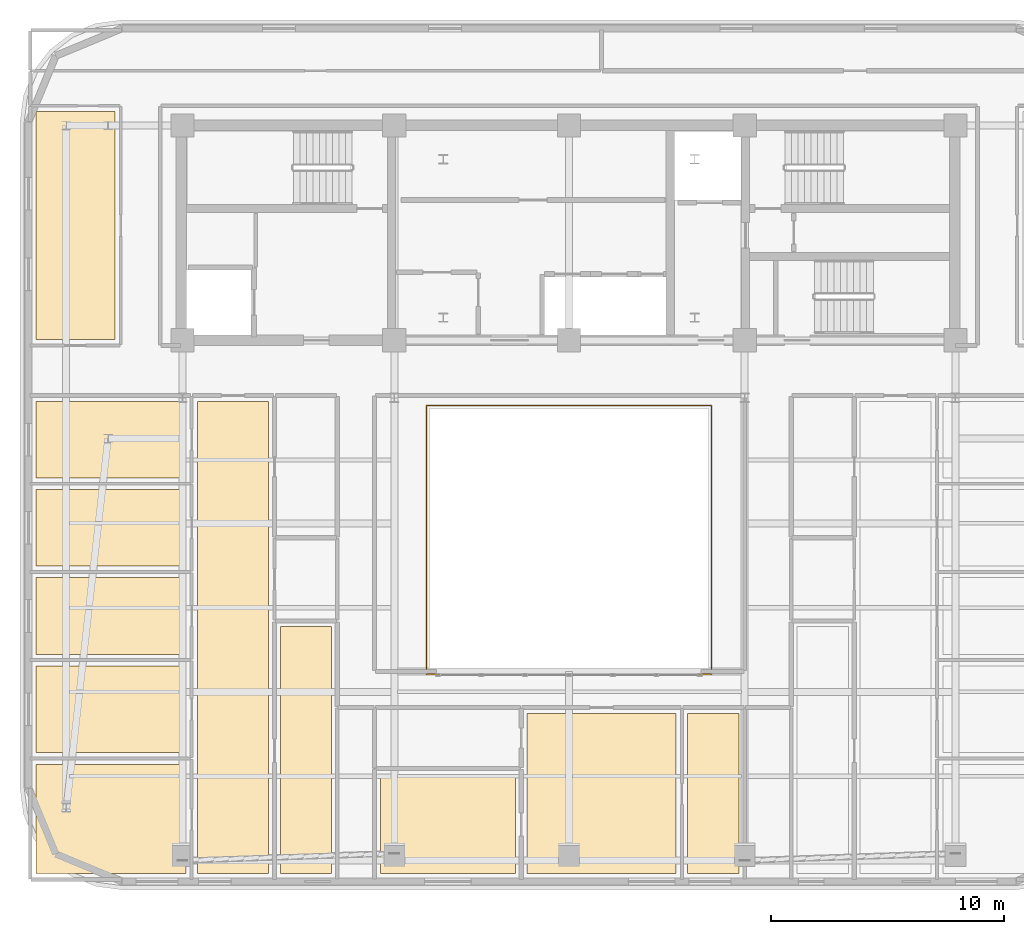
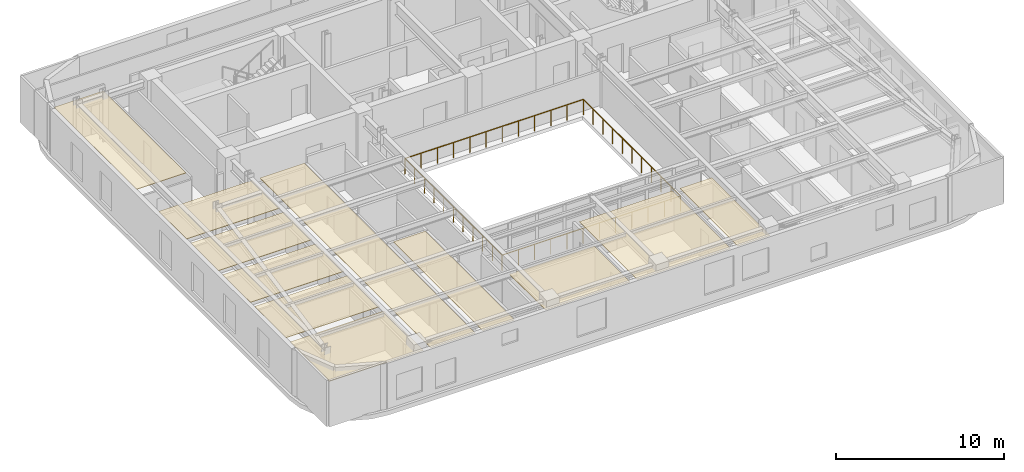
# One storey, part 11 of 14: 11 coverings, 1 railing.
"""IFC4 building model written with IfcOpenShell, lengths in metres."""

import ifcopenshell
import ifcopenshell.guid

model = None  # the IFC model being written
_history = None  # IfcOwnerHistory: only IFC2X3 demands one
_inside = {}  # id of a spatial element -> (the spatial element, [elements in it])
_under = {}  # id of a project, library or spatial element -> (it, [spatial elements below it])
_declared = {}  # id of a project -> (the project, [libraries it declares])
_typed = {}  # id of a type object -> (the type object, [elements of that type])
_made_of = {}  # id of a material, layer set ... -> (it, [elements and type objects made of it])


def new_model(schema):
    """Start an empty IFC model of exactly this schema.

    Asked for "IFC4X3", IfcOpenShell would pick the latest addendum, in which some entities
    have other attributes; the version numbers below select the first issue.
    IFC2X3 requires an IfcOwnerHistory on every rooted entity: one is made here for all.
    """
    global model, _history
    if schema == "IFC4X3":
        model = ifcopenshell.file(schema_version=(4, 3, 0, 0))
    else:
        model = ifcopenshell.file(schema=schema)
    _inside.clear()
    _under.clear()
    _declared.clear()
    _typed.clear()
    _made_of.clear()
    _history = None
    if model.schema == "IFC2X3":
        org = make("IfcOrganization", Name="unknown")
        user = make(
            "IfcPersonAndOrganization",
            ThePerson=make("IfcPerson", FamilyName="unknown"),
            TheOrganization=org,
        )
        app = make(
            "IfcApplication",
            ApplicationDeveloper=org,
            Version="unknown",
            ApplicationFullName="unknown",
            ApplicationIdentifier="unknown",
        )
        _history = make(
            "IfcOwnerHistory",
            OwningUser=user,
            OwningApplication=app,
            ChangeAction="ADDED",
            CreationDate=0,
        )
    return model


def make(cls, **values):
    """One entity of the class cls with the attributes given. An attribute that is None is left unset."""
    return model.create_entity(
        cls, **{name: value for name, value in values.items() if value is not None}
    )


def rooted(cls, **values):
    """An entity with a GlobalId (a new one), such as an element, a storey or a relation."""
    return make(cls, GlobalId=ifcopenshell.guid.new(), OwnerHistory=_history, **values)


def si_unit(unit_type, name, prefix=None):
    """IfcSIUnit, for example si_unit("LENGTHUNIT", "METRE", prefix="MILLI")."""
    return make("IfcSIUnit", UnitType=unit_type, Prefix=prefix, Name=name)


def assignment(units):
    """IfcUnitAssignment: the units of a project."""
    return None if units is None else make("IfcUnitAssignment", Units=units)


def point(xyz):
    """IfcCartesianPoint."""
    return None if xyz is None else make("IfcCartesianPoint", Coordinates=xyz)


def direction(xyz):
    """IfcDirection."""
    return None if xyz is None else make("IfcDirection", DirectionRatios=xyz)


def frame(location, z_axis=None, x_axis=None):
    """IfcAxis2Placement3D, a coordinate frame: its origin and axes. An axis left out is left unset."""
    return make(
        "IfcAxis2Placement3D",
        Location=point(location),
        Axis=direction(z_axis),
        RefDirection=direction(x_axis),
    )


def frame_2d(location, x_axis=None):
    """IfcAxis2Placement2D, a coordinate frame in the plane: its origin and x axis."""
    return make(
        "IfcAxis2Placement2D", Location=point(location), RefDirection=direction(x_axis)
    )


def origin():
    """The frame at (0, 0, 0) with its axes left unset."""
    return frame((0.0, 0.0, 0.0))


def origin_2d():
    """The frame at (0, 0) in the plane with its x axis left unset."""
    return frame_2d((0.0, 0.0))


def place(relative_to, where):
    """IfcLocalPlacement: puts the frame where relative to a parent placement (None: the world)."""
    return make(
        "IfcLocalPlacement", PlacementRelTo=relative_to, RelativePlacement=where
    )


def context(
    kind, dimensions, precision=None, world=None, true_north=None, identifier=None
):
    """IfcGeometricRepresentationContext, for example the 3D "Model" context."""
    return make(
        "IfcGeometricRepresentationContext",
        ContextIdentifier=identifier,
        ContextType=kind,
        CoordinateSpaceDimension=dimensions,
        Precision=precision,
        WorldCoordinateSystem=world,
        TrueNorth=true_north,
    )


def subcontext(parent, identifier, kind, view, scale=None):
    """IfcGeometricRepresentationSubContext, for example "Body" below "Model"."""
    return make(
        "IfcGeometricRepresentationSubContext",
        ContextIdentifier=identifier,
        ContextType=kind,
        ParentContext=parent,
        TargetScale=scale,
        TargetView=view,
    )


def project(units=None, contexts=None):
    """IfcProject with its units and contexts."""
    return rooted(
        "IfcProject",
        Name="project",
        RepresentationContexts=contexts,
        UnitsInContext=assignment(units),
    )


def spatial(cls, under=None, at=None, **own):
    """A site, building, storey or space (cls), placed at a placement, below another one or the project."""
    s = rooted(cls, ObjectPlacement=at, **own)
    if under is not None:
        _under.setdefault(under.id(), (under, []))[1].append(s)
    return s


def polyline(points):
    """IfcPolyline through the points."""
    return make("IfcPolyline", Points=[point(p) for p in points])


def profile(cls, at=None, kind="AREA", **sizes):
    """A parametric profile (cls). Its sizes go by their IFC names, for example OverallWidth=200.0."""
    return make(cls, ProfileType=kind, Position=at, **sizes)


def rectangle(**sizes):
    """IfcRectangleProfileDef."""
    return profile("IfcRectangleProfileDef", **sizes)


def outline(outer, holes=None, kind="AREA"):
    """IfcArbitraryClosedProfileDef: a profile drawn as a closed curve; with holes, ...WithVoids."""
    if holes is None:
        return make("IfcArbitraryClosedProfileDef", ProfileType=kind, OuterCurve=outer)
    return make(
        "IfcArbitraryProfileDefWithVoids",
        ProfileType=kind,
        OuterCurve=outer,
        InnerCurves=holes,
    )


def extrude(swept, where, along, depth):
    """IfcExtrudedAreaSolid: the profile swept, set in the frame where, extruded along a direction by depth."""
    return make(
        "IfcExtrudedAreaSolid",
        SweptArea=swept,
        Position=where,
        ExtrudedDirection=direction(along),
        Depth=depth,
    )


def shape(context_of_items, identifier, shape_type, items):
    """IfcShapeRepresentation: the items that make up one representation, for example the "Body"."""
    return make(
        "IfcShapeRepresentation",
        ContextOfItems=context_of_items,
        RepresentationIdentifier=identifier,
        RepresentationType=shape_type,
        Items=items,
    )


def material(Name=None, Category=None):
    """IfcMaterial."""
    return make("IfcMaterial", Name=Name, Category=Category)


def layer(
    of_material, thickness, ventilated=None, Name=None, Category=None, Priority=None
):
    """IfcMaterialLayer: one layer of a wall or slab, of a material (None: an air gap)."""
    return make(
        "IfcMaterialLayer",
        Material=of_material,
        LayerThickness=thickness,
        IsVentilated=ventilated,
        Name=Name,
        Category=Category,
        Priority=Priority,
    )


def layer_set(layers, Name=None):
    """IfcMaterialLayerSet."""
    return make("IfcMaterialLayerSet", MaterialLayers=layers, LayerSetName=Name)


def made_of(thing, what):
    """Note that an element or type object is made of a material, layer set ...; save() writes the relation."""
    if what is not None:
        _made_of.setdefault(what.id(), (what, []))[1].append(thing)
    return thing


def type_object(cls, material=None, **own):
    """A type object (cls), such as IfcWallType, which elements share."""
    return made_of(rooted(cls, **own), material)


def element(
    cls,
    number,
    at=None,
    inside=None,
    cuts=None,
    type_object=None,
    material=None,
    context=None,
    identifier="Body",
    shape_type=None,
    held_by="IfcProductDefinitionShape",
    body=None,
    shapes=None,
    **own,
):
    """One element of the class cls, such as IfcWall. Its Tag is "e" and its number.

    at: its placement. inside: the storey or other place that contains it. cuts: it is an
    opening in that element (IfcRelVoidsElement). A single representation is given by context,
    identifier, shape_type and body (its items); several are given by shapes. held_by: the class
    of the entity that holds the representations. save() writes the other relations.
    """
    e = rooted(cls, Tag="e%d" % number, ObjectPlacement=at, **own)
    if body is not None:
        shapes = [shape(context, identifier, shape_type, body)]
    if shapes is not None:
        e.Representation = make(held_by, Representations=shapes)
    if inside is not None:
        _inside.setdefault(inside.id(), (inside, []))[1].append(e)
    if cuts is not None:
        rooted(
            "IfcRelVoidsElement", RelatingBuildingElement=cuts, RelatedOpeningElement=e
        )
    if type_object is not None:
        _typed.setdefault(type_object.id(), (type_object, []))[1].append(e)
    return made_of(e, material)


def aggregate(whole, parts):
    """IfcRelAggregates: a whole, such as a stair, and the parts it consists of."""
    return rooted("IfcRelAggregates", RelatingObject=whole, RelatedObjects=parts)


def save(model, path):
    """Write the relations noted so far, then the file.

    IfcRelAggregates (storeys below a building ...), IfcRelContainedInSpatialStructure (elements
    in a storey), IfcRelDefinesByType, IfcRelAssociatesMaterial and IfcRelDeclares: one each for
    every whole, place, type object, material and project.
    """
    for whole, parts in _under.values():
        aggregate(whole, parts)
    for where, things in _inside.values():
        rooted(
            "IfcRelContainedInSpatialStructure",
            RelatedElements=things,
            RelatingStructure=where,
        )
    for kind, things in _typed.values():
        rooted("IfcRelDefinesByType", RelatedObjects=things, RelatingType=kind)
    for what, things in _made_of.values():
        rooted("IfcRelAssociatesMaterial", RelatedObjects=things, RelatingMaterial=what)
    for by, libraries in _declared.values():
        rooted("IfcRelDeclares", RelatingContext=by, RelatedDefinitions=libraries)
    model.write(path)


model = new_model("IFC4")

# Units and contexts
model_context = context("Model", 3, precision=1e-05, world=origin(), true_north=direction((0.0, 1.0)))
body_context = subcontext(model_context, "Body", "Model", "MODEL_VIEW")
ifc_project = project(units=[si_unit("LENGTHUNIT", "METRE"), si_unit("AREAUNIT", "SQUARE_METRE"), si_unit("VOLUMEUNIT", "CUBIC_METRE"), si_unit("PLANEANGLEUNIT", "RADIAN"), si_unit("MASSUNIT", "GRAM", prefix="KILO")], contexts=[model_context])

# Site, building, storey
site_placement = place(None, origin())
site = spatial("IfcSite", under=ifc_project, at=site_placement, CompositionType="ELEMENT")
building_placement = place(site_placement, origin())
building = spatial("IfcBuilding", under=site, at=building_placement, Name="Zarnavel Station Tower", CompositionType="ELEMENT")
storey_placement = place(building_placement, frame((0.0, 0.0, 225.60009765625)))
storey = spatial("IfcBuildingStorey", under=building, at=storey_placement, Name="L61", CompositionType="ELEMENT", Elevation=225.60009765625)

# Coverings
ifc_material_1 = material(Name="Perforated Gypsum and Mineral-Wool Acoustic Ceiling", Category="concrete")
ifc_layer = layer(ifc_material_1, 0.0400390625)
ifc_layer_set = layer_set([ifc_layer], Name="COV_CEIL_ACOUSTIC")
covering_type = type_object("IfcCoveringType", Name="COV_CEIL_ACOUSTIC", PredefinedType="CEILING", material=ifc_layer_set)
covering_1_placement = place(storey_placement, frame((0.0, 0.0, 3.02001953125)))
element("IfcCovering", 1, at=covering_1_placement, inside=storey, type_object=covering_type, Name="L61 FNW Acoustic Ceiling", PredefinedType="CEILING", context=body_context, shape_type="SweptSolid", body=[
    extrude(outline(polyline([(5.909912109375, 27.85009765625), (9.300048828125, 27.85009765625), (9.300048828125, 37.64990234375), (5.909912109375, 37.64990234375), (5.909912109375, 27.85009765625)])), origin(), (0.0, 0.0, 1.0), 0.039794921875),
])
covering_2_placement = place(storey_placement, frame((0.0, 0.0, 3.02001953125)))
element("IfcCovering", 2, at=covering_2_placement, inside=storey, type_object=covering_type, Name="L61 UW1LV Acoustic Ceiling", PredefinedType="CEILING", context=body_context, shape_type="SweptSolid", body=[
    extrude(outline(polyline([(12.841064453125, 4.909912109375), (15.89990234375, 4.909912109375), (15.89990234375, 25.199951171875), (12.841064453125, 25.199951171875), (12.841064453125, 4.909912109375)])), origin(), (0.0, 0.0, 1.0), 0.039794921875),
])
covering_3_placement = place(storey_placement, frame((0.0, 0.0, 3.02001953125)))
element("IfcCovering", 3, at=covering_3_placement, inside=storey, type_object=covering_type, Name="L61 UW1KT Acoustic Ceiling", PredefinedType="CEILING", context=body_context, shape_type="SweptSolid", body=[
    extrude(outline(polyline([(16.39990234375, 4.909912109375), (18.60009765625, 4.909912109375), (18.60009765625, 15.52099609375), (16.39990234375, 15.52099609375), (16.39990234375, 4.909912109375)])), origin(), (0.0, 0.0, 1.0), 0.039794921875),
])
covering_4_placement = place(storey_placement, frame((0.0, 0.0, 3.02001953125)))
element("IfcCovering", 4, at=covering_4_placement, inside=storey, type_object=covering_type, Name="L61 UW1B1 Acoustic Ceiling", PredefinedType="CEILING", context=body_context, shape_type="SweptSolid", body=[
    extrude(outline(polyline([(5.909912109375, 4.909912109375), (12.341064453125, 4.909912109375), (12.341064453125, 9.60693359375), (5.909912109375, 9.60693359375), (5.909912109375, 4.909912109375)])), origin(), (0.0, 0.0, 1.0), 0.039794921875),
])
covering_5_placement = place(storey_placement, frame((0.0, 0.0, 3.02001953125)))
element("IfcCovering", 5, at=covering_5_placement, inside=storey, type_object=covering_type, Name="L61 UW1B2 Acoustic Ceiling", PredefinedType="CEILING", context=body_context, shape_type="SweptSolid", body=[
    extrude(outline(polyline([(5.909912109375, 10.10693359375), (12.341064453125, 10.10693359375), (12.341064453125, 13.8349609375), (5.909912109375, 13.8349609375), (5.909912109375, 10.10693359375)])), origin(), (0.0, 0.0, 1.0), 0.039794921875),
])
covering_6_placement = place(storey_placement, frame((0.0, 0.0, 3.02001953125)))
element("IfcCovering", 6, at=covering_6_placement, inside=storey, type_object=covering_type, Name="L61 UW1B3 Acoustic Ceiling", PredefinedType="CEILING", context=body_context, shape_type="SweptSolid", body=[
    extrude(outline(polyline([(5.909912109375, 14.3349609375), (12.341064453125, 14.3349609375), (12.341064453125, 17.623046875), (5.909912109375, 17.623046875), (5.909912109375, 14.3349609375)])), origin(), (0.0, 0.0, 1.0), 0.039794921875),
])
covering_7_placement = place(storey_placement, frame((0.0, 0.0, 3.02001953125)))
element("IfcCovering", 7, at=covering_7_placement, inside=storey, type_object=covering_type, Name="L61 UW1B4 Acoustic Ceiling", PredefinedType="CEILING", context=body_context, shape_type="SweptSolid", body=[
    extrude(outline(polyline([(5.909912109375, 18.123046875), (12.341064453125, 18.123046875), (12.341064453125, 21.410888671875), (5.909912109375, 21.410888671875), (5.909912109375, 18.123046875)])), origin(), (0.0, 0.0, 1.0), 0.039794921875),
])
covering_8_placement = place(storey_placement, frame((0.0, 0.0, 3.02001953125)))
element("IfcCovering", 8, at=covering_8_placement, inside=storey, type_object=covering_type, Name="L61 UW1B5 Acoustic Ceiling", PredefinedType="CEILING", context=body_context, shape_type="SweptSolid", body=[
    extrude(outline(polyline([(5.909912109375, 21.910888671875), (12.341064453125, 21.910888671875), (12.341064453125, 25.199951171875), (5.909912109375, 25.199951171875), (5.909912109375, 21.910888671875)])), origin(), (0.0, 0.0, 1.0), 0.039794921875),
])
covering_9_placement = place(storey_placement, frame((0.0, 0.0, 3.02001953125)))
element("IfcCovering", 9, at=covering_9_placement, inside=storey, type_object=covering_type, Name="L61 US1LV Acoustic Ceiling", PredefinedType="CEILING", context=body_context, shape_type="SweptSolid", body=[
    extrude(outline(polyline([(27.0, 4.909912109375), (33.39990234375, 4.909912109375), (33.39990234375, 11.800048828125), (27.0, 11.800048828125), (27.0, 4.909912109375)])), origin(), (0.0, 0.0, 1.0), 0.039794921875),
])
covering_10_placement = place(storey_placement, frame((0.0, 0.0, 3.02001953125)))
element("IfcCovering", 10, at=covering_10_placement, inside=storey, type_object=covering_type, Name="L61 US1KT Acoustic Ceiling", PredefinedType="CEILING", context=body_context, shape_type="SweptSolid", body=[
    extrude(outline(polyline([(20.699951171875, 4.909912109375), (26.5, 4.909912109375), (26.5, 9.180908203125), (20.699951171875, 9.180908203125), (20.699951171875, 4.909912109375)])), origin(), (0.0, 0.0, 1.0), 0.039794921875),
])
covering_11_placement = place(storey_placement, frame((0.0, 0.0, 3.02001953125)))
element("IfcCovering", 11, at=covering_11_placement, inside=storey, type_object=covering_type, Name="L61 US1B1 Acoustic Ceiling", PredefinedType="CEILING", context=body_context, shape_type="SweptSolid", body=[
    extrude(outline(polyline([(33.89990234375, 4.909912109375), (36.10009765625, 4.909912109375), (36.10009765625, 11.800048828125), (33.89990234375, 11.800048828125), (33.89990234375, 4.909912109375)])), origin(), (0.0, 0.0, 1.0), 0.039794921875),
])

# Railing
ifc_material_2 = material(Name="Painted Steel S355J2 Balustrade", Category="steel")
railing_type = type_object("IfcRailingType", Name="GR_INT_1150", PredefinedType="GUARDRAIL", material=ifc_material_2)
railing_placement = place(storey_placement, frame((22.679931640625, 13.47998046875, 0.0)))
element("IfcRailing", 12, at=railing_placement, inside=storey, type_object=railing_type, Name="L61 Atrium Void Guardrail", PredefinedType="GUARDRAIL", context=body_context, shape_type="SweptSolid", body=[
    extrude(rectangle(XDim=0.048095703125, YDim=0.048095703125, at=origin_2d()), frame((0.001953125, 0.0, 1.1259765625), z_axis=(1.0, 0.0, 0.0), x_axis=(0.0, 1.0, 0.0)), (0.0, 0.0, 1.0), 12.236083984375),
    extrude(rectangle(XDim=0.048095703125, YDim=0.048095703125, at=origin_2d()), frame((12.239990234375, 0.001953125, 1.1259765625), z_axis=(0.0, 1.0, 0.0), x_axis=(-1.0, 0.0, 0.0)), (0.0, 0.0, 1.0), 11.5361328125),
    extrude(rectangle(XDim=0.048095703125, YDim=0.048095703125, at=origin_2d()), frame((12.238037109375, 11.5400390625, 1.1259765625), z_axis=(-1.0, 0.0, 0.0), x_axis=(0.0, -1.0, 0.0)), (0.0, 0.0, 1.0), 12.236083984375),
    extrude(rectangle(XDim=0.048095703125, YDim=0.048095703125, at=origin_2d()), frame((0.0, 11.5380859375, 1.1259765625), z_axis=(0.0, -1.0, 0.0), x_axis=(1.0, 0.0, 0.0)), (0.0, 0.0, 1.0), 11.5361328125),
    extrude(rectangle(XDim=0.0419921875, YDim=0.0419921875, at=origin_2d()), origin(), (0.0, 0.0, 1.0), 1.101806640625),
    extrude(rectangle(XDim=0.0419921875, YDim=0.0419921875, at=origin_2d()), frame((1.11279296875, 0.0, 0.0)), (0.0, 0.0, 1.0), 1.101806640625),
    extrude(rectangle(XDim=0.0419921875, YDim=0.0419921875, at=origin_2d()), frame((2.225341796875, 0.0, 0.0)), (0.0, 0.0, 1.0), 1.101806640625),
    extrude(rectangle(XDim=0.0419921875, YDim=0.0419921875, at=origin_2d()), frame((3.338134765625, 0.0, 0.0)), (0.0, 0.0, 1.0), 1.101806640625),
    extrude(rectangle(XDim=0.0419921875, YDim=0.0419921875, at=origin_2d()), frame((4.450927734375, 0.0, 0.0)), (0.0, 0.0, 1.0), 1.101806640625),
    extrude(rectangle(XDim=0.0419921875, YDim=0.0419921875, at=origin_2d()), frame((5.563720703125, 0.0, 0.0)), (0.0, 0.0, 1.0), 1.101806640625),
    extrude(rectangle(XDim=0.0419921875, YDim=0.0419921875, at=origin_2d()), frame((6.67626953125, 0.0, 0.0)), (0.0, 0.0, 1.0), 1.101806640625),
    extrude(rectangle(XDim=0.0419921875, YDim=0.0419921875, at=origin_2d()), frame((7.7890625, 0.0, 0.0)), (0.0, 0.0, 1.0), 1.101806640625),
    extrude(rectangle(XDim=0.0419921875, YDim=0.0419921875, at=origin_2d()), frame((8.90185546875, 0.0, 0.0)), (0.0, 0.0, 1.0), 1.101806640625),
    extrude(rectangle(XDim=0.0419921875, YDim=0.0419921875, at=origin_2d()), frame((10.0146484375, 0.0, 0.0)), (0.0, 0.0, 1.0), 1.101806640625),
    extrude(rectangle(XDim=0.0419921875, YDim=0.0419921875, at=origin_2d()), frame((11.127197265625, 0.0, 0.0)), (0.0, 0.0, 1.0), 1.101806640625),
    extrude(rectangle(XDim=0.0419921875, YDim=0.0419921875, at=origin_2d()), frame((12.239990234375, 0.0, 0.0)), (0.0, 0.0, 1.0), 1.101806640625),
    extrude(rectangle(XDim=0.0419921875, YDim=0.0419921875, at=origin_2d()), frame((12.239990234375, 1.154052734375, 0.0)), (0.0, 0.0, 1.0), 1.101806640625),
    extrude(rectangle(XDim=0.0419921875, YDim=0.0419921875, at=origin_2d()), frame((12.239990234375, 2.30810546875, 0.0)), (0.0, 0.0, 1.0), 1.101806640625),
    extrude(rectangle(XDim=0.0419921875, YDim=0.0419921875, at=origin_2d()), frame((12.239990234375, 3.4619140625, 0.0)), (0.0, 0.0, 1.0), 1.101806640625),
    extrude(rectangle(XDim=0.0419921875, YDim=0.0419921875, at=origin_2d()), frame((12.239990234375, 4.615966796875, 0.0)), (0.0, 0.0, 1.0), 1.101806640625),
    extrude(rectangle(XDim=0.0419921875, YDim=0.0419921875, at=origin_2d()), frame((12.239990234375, 5.77001953125, 0.0)), (0.0, 0.0, 1.0), 1.101806640625),
    extrude(rectangle(XDim=0.0419921875, YDim=0.0419921875, at=origin_2d()), frame((12.239990234375, 6.924072265625, 0.0)), (0.0, 0.0, 1.0), 1.101806640625),
    extrude(rectangle(XDim=0.0419921875, YDim=0.0419921875, at=origin_2d()), frame((12.239990234375, 8.078125, 0.0)), (0.0, 0.0, 1.0), 1.101806640625),
    extrude(rectangle(XDim=0.0419921875, YDim=0.0419921875, at=origin_2d()), frame((12.239990234375, 9.23193359375, 0.0)), (0.0, 0.0, 1.0), 1.101806640625),
    extrude(rectangle(XDim=0.0419921875, YDim=0.0419921875, at=origin_2d()), frame((12.239990234375, 10.385986328125, 0.0)), (0.0, 0.0, 1.0), 1.101806640625),
    extrude(rectangle(XDim=0.0419921875, YDim=0.0419921875, at=origin_2d()), frame((12.239990234375, 11.5400390625, 0.0)), (0.0, 0.0, 1.0), 1.101806640625),
    extrude(rectangle(XDim=0.0419921875, YDim=0.0419921875, at=origin_2d()), frame((11.127197265625, 11.5400390625, 0.0)), (0.0, 0.0, 1.0), 1.101806640625),
    extrude(rectangle(XDim=0.0419921875, YDim=0.0419921875, at=origin_2d()), frame((10.0146484375, 11.5400390625, 0.0)), (0.0, 0.0, 1.0), 1.101806640625),
    extrude(rectangle(XDim=0.0419921875, YDim=0.0419921875, at=origin_2d()), frame((8.90185546875, 11.5400390625, 0.0)), (0.0, 0.0, 1.0), 1.101806640625),
    extrude(rectangle(XDim=0.0419921875, YDim=0.0419921875, at=origin_2d()), frame((7.7890625, 11.5400390625, 0.0)), (0.0, 0.0, 1.0), 1.101806640625),
    extrude(rectangle(XDim=0.0419921875, YDim=0.0419921875, at=origin_2d()), frame((6.67626953125, 11.5400390625, 0.0)), (0.0, 0.0, 1.0), 1.101806640625),
    extrude(rectangle(XDim=0.0419921875, YDim=0.0419921875, at=origin_2d()), frame((5.563720703125, 11.5400390625, 0.0)), (0.0, 0.0, 1.0), 1.101806640625),
    extrude(rectangle(XDim=0.0419921875, YDim=0.0419921875, at=origin_2d()), frame((4.450927734375, 11.5400390625, 0.0)), (0.0, 0.0, 1.0), 1.101806640625),
    extrude(rectangle(XDim=0.0419921875, YDim=0.0419921875, at=origin_2d()), frame((3.338134765625, 11.5400390625, 0.0)), (0.0, 0.0, 1.0), 1.101806640625),
    extrude(rectangle(XDim=0.0419921875, YDim=0.0419921875, at=origin_2d()), frame((2.225341796875, 11.5400390625, 0.0)), (0.0, 0.0, 1.0), 1.101806640625),
    extrude(rectangle(XDim=0.0419921875, YDim=0.0419921875, at=origin_2d()), frame((1.11279296875, 11.5400390625, 0.0)), (0.0, 0.0, 1.0), 1.101806640625),
    extrude(rectangle(XDim=0.0419921875, YDim=0.0419921875, at=origin_2d()), frame((0.0, 11.5400390625, 0.0)), (0.0, 0.0, 1.0), 1.101806640625),
    extrude(rectangle(XDim=0.0419921875, YDim=0.0419921875, at=origin_2d()), frame((0.0, 10.385986328125, 0.0)), (0.0, 0.0, 1.0), 1.101806640625),
    extrude(rectangle(XDim=0.0419921875, YDim=0.0419921875, at=origin_2d()), frame((0.0, 9.23193359375, 0.0)), (0.0, 0.0, 1.0), 1.101806640625),
    extrude(rectangle(XDim=0.0419921875, YDim=0.0419921875, at=origin_2d()), frame((0.0, 8.078125, 0.0)), (0.0, 0.0, 1.0), 1.101806640625),
    extrude(rectangle(XDim=0.0419921875, YDim=0.0419921875, at=origin_2d()), frame((0.0, 6.924072265625, 0.0)), (0.0, 0.0, 1.0), 1.101806640625),
    extrude(rectangle(XDim=0.0419921875, YDim=0.0419921875, at=origin_2d()), frame((0.0, 5.77001953125, 0.0)), (0.0, 0.0, 1.0), 1.101806640625),
    extrude(rectangle(XDim=0.0419921875, YDim=0.0419921875, at=origin_2d()), frame((0.0, 4.615966796875, 0.0)), (0.0, 0.0, 1.0), 1.101806640625),
    extrude(rectangle(XDim=0.0419921875, YDim=0.0419921875, at=origin_2d()), frame((0.0, 3.4619140625, 0.0)), (0.0, 0.0, 1.0), 1.101806640625),
    extrude(rectangle(XDim=0.0419921875, YDim=0.0419921875, at=origin_2d()), frame((0.0, 2.30810546875, 0.0)), (0.0, 0.0, 1.0), 1.101806640625),
    extrude(rectangle(XDim=0.0419921875, YDim=0.0419921875, at=origin_2d()), frame((0.0, 1.154052734375, 0.0)), (0.0, 0.0, 1.0), 1.101806640625),
])

save(model, "model.ifc")
